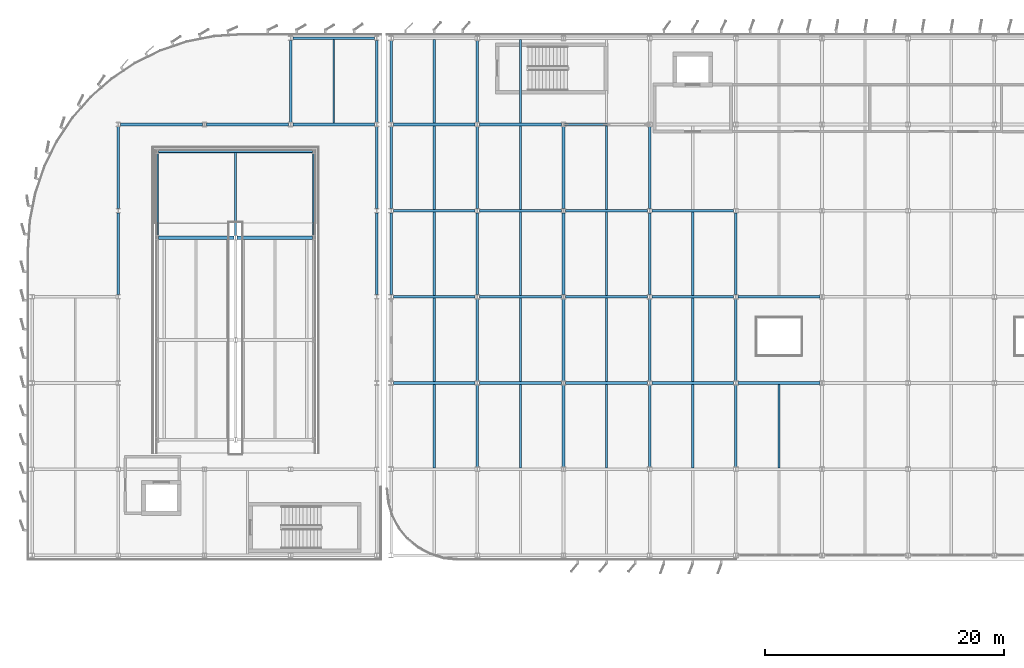
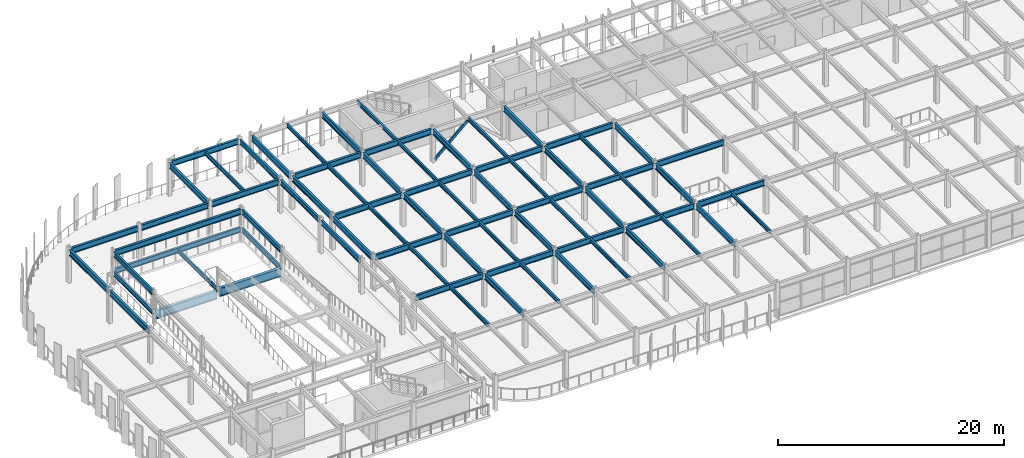
# One storey, part 16 of 52: 73 beams, 1 member.
"""IFC4 building model written with IfcOpenShell, lengths in metres."""

from ifc_helpers import new_model, si_unit, direction, frame, origin, origin_2d, place, context, subcontext, project, spatial, hollow_rectangle, i_section, extrude, material, material_profile, profile_set, type_object, element, save


model = new_model("IFC4")

# Units and contexts
model_context = context("Model", 3, precision=1e-05, world=origin(), true_north=direction((0.0, 1.0)))
body_context = subcontext(model_context, "Body", "Model", "MODEL_VIEW")
ifc_project = project(units=[si_unit("LENGTHUNIT", "METRE"), si_unit("AREAUNIT", "SQUARE_METRE"), si_unit("VOLUMEUNIT", "CUBIC_METRE"), si_unit("PLANEANGLEUNIT", "RADIAN"), si_unit("MASSUNIT", "GRAM", prefix="KILO")], contexts=[model_context])

# Site, building, storey
site_placement = place(None, origin())
site = spatial("IfcSite", under=ifc_project, at=site_placement, CompositionType="ELEMENT")
building_placement = place(site_placement, origin())
building = spatial("IfcBuilding", under=site, at=building_placement, Name="Vaelcorin Mobility Hub", CompositionType="ELEMENT")
storey_placement = place(building_placement, frame((0.0, 0.0, 13.199951171875)))
storey = spatial("IfcBuildingStorey", under=building, at=storey_placement, Name="L03", CompositionType="ELEMENT", Elevation=13.199951171875)

# Beams
ifc_material_1 = material(Name="Steel ASTM A992 Grade 50", Category="steel")
ifc_material_profile_1 = material_profile(ifc_material_1, i_section(OverallWidth=0.177978515625, OverallDepth=0.404052734375, WebThickness=0.007568359375, FlangeThickness=0.010986328125, FilletRadius=0.012939453125, at=origin_2d()), Name="W16X36")
ifc_profile_set_1 = profile_set([ifc_material_profile_1], Name="Steel ASTM A992 Grade 50")
beam_type_1 = type_object("IfcBeamType", Name="BM-W16X36", PredefinedType="JOIST", material=ifc_profile_set_1)
beam_1_placement = place(storey_placement, frame((39.60009765625, 84.112060546875, 3.4580078125), z_axis=(0.0, 1.0, 0.0), x_axis=(-1.0, 0.0, 0.0)))
element("IfcBeam", 1, at=beam_1_placement, inside=storey, type_object=beam_type_1, Name="L03 Beam V4-L03-J-01-01-1", PredefinedType="JOIST", context=body_context, shape_type="SweptSolid", body=[
    extrude(i_section(OverallWidth=0.177978515625, OverallDepth=0.404052734375, WebThickness=0.007568359375, FlangeThickness=0.010986328125, FilletRadius=0.012939453125, at=origin_2d()), origin(), (0.0, 0.0, 1.0), 6.975830078125),
])
for number, where, z_axis, x_axis, name in (
    (2, (39.60009765625, 91.31201171875, 3.4580078125), (0.0, 1.0, 0.0), (-1.0, 0.0, 0.0), "L03 Beam V4-L03-J-01-02-1"),
    (3, (39.60009765625, 98.511962890625, 3.4580078125), (0.0, 1.0, 0.0), (-1.0, 0.0, 0.0), "L03 Beam V4-L03-J-01-03-1"),
    (4, (39.60009765625, 105.7119140625, 3.4580078125), (0.0, 1.0, 0.0), (-1.0, 0.0, 0.0), "L03 Beam V4-L03-J-01-04-1"),
):
    element("IfcBeam", number, at=place(storey_placement, frame(where, z_axis=z_axis, x_axis=x_axis)), inside=storey, type_object=beam_type_1, Name=name, PredefinedType="JOIST", context=body_context, shape_type="SweptSolid", body=[
        extrude(i_section(OverallWidth=0.177978515625, OverallDepth=0.404052734375, WebThickness=0.007568359375, FlangeThickness=0.010986328125, FilletRadius=0.012939453125, at=origin_2d()), origin(), (0.0, 0.0, 1.0), 6.97607421875),
    ])
for number, where, z_axis, x_axis, name in (
    (5, (39.60009765625, 112.912109375, 3.4580078125), (0.0, 1.0, 0.0), (-1.0, 0.0, 0.0), "L03 Beam V4-L03-J-01-05-1"),
    (6, (46.800048828125, 84.112060546875, 3.4580078125), (0.0, 1.0, 0.0), (-1.0, 0.0, 0.0), "L03 Beam V4-L03-J-02-01-1"),
):
    element("IfcBeam", number, at=place(storey_placement, frame(where, z_axis=z_axis, x_axis=x_axis)), inside=storey, type_object=beam_type_1, Name=name, PredefinedType="JOIST", context=body_context, shape_type="SweptSolid", body=[
        extrude(i_section(OverallWidth=0.177978515625, OverallDepth=0.404052734375, WebThickness=0.007568359375, FlangeThickness=0.010986328125, FilletRadius=0.012939453125, at=origin_2d()), origin(), (0.0, 0.0, 1.0), 6.975830078125),
    ])
for number, where, z_axis, x_axis, name in (
    (7, (46.800048828125, 91.31201171875, 3.4580078125), (0.0, 1.0, 0.0), (-1.0, 0.0, 0.0), "L03 Beam V4-L03-J-02-02-1"),
    (8, (46.800048828125, 98.511962890625, 3.4580078125), (0.0, 1.0, 0.0), (-1.0, 0.0, 0.0), "L03 Beam V4-L03-J-02-03-1"),
    (9, (46.800048828125, 105.7119140625, 3.4580078125), (0.0, 1.0, 0.0), (-1.0, 0.0, 0.0), "L03 Beam V4-L03-J-02-04-1"),
):
    element("IfcBeam", number, at=place(storey_placement, frame(where, z_axis=z_axis, x_axis=x_axis)), inside=storey, type_object=beam_type_1, Name=name, PredefinedType="JOIST", context=body_context, shape_type="SweptSolid", body=[
        extrude(i_section(OverallWidth=0.177978515625, OverallDepth=0.404052734375, WebThickness=0.007568359375, FlangeThickness=0.010986328125, FilletRadius=0.012939453125, at=origin_2d()), origin(), (0.0, 0.0, 1.0), 6.97607421875),
    ])
for number, where, z_axis, x_axis, name in (
    (10, (46.800048828125, 112.912109375, 3.4580078125), (0.0, 1.0, 0.0), (-1.0, 0.0, 0.0), "L03 Beam V4-L03-J-02-05-1"),
    (11, (54.0, 84.112060546875, 3.4580078125), (0.0, 1.0, 0.0), (-1.0, 0.0, 0.0), "L03 Beam V4-L03-J-03-01-1"),
):
    element("IfcBeam", number, at=place(storey_placement, frame(where, z_axis=z_axis, x_axis=x_axis)), inside=storey, type_object=beam_type_1, Name=name, PredefinedType="JOIST", context=body_context, shape_type="SweptSolid", body=[
        extrude(i_section(OverallWidth=0.177978515625, OverallDepth=0.404052734375, WebThickness=0.007568359375, FlangeThickness=0.010986328125, FilletRadius=0.012939453125, at=origin_2d()), origin(), (0.0, 0.0, 1.0), 6.975830078125),
    ])
for number, where, z_axis, x_axis, name in (
    (12, (54.0, 91.31201171875, 3.4580078125), (0.0, 1.0, 0.0), (-1.0, 0.0, 0.0), "L03 Beam V4-L03-J-03-02-1"),
    (13, (54.0, 98.511962890625, 3.4580078125), (0.0, 1.0, 0.0), (-1.0, 0.0, 0.0), "L03 Beam V4-L03-J-03-03-1"),
    (14, (54.0, 105.7119140625, 3.4580078125), (0.0, 1.0, 0.0), (-1.0, 0.0, 0.0), "L03 Beam V4-L03-J-03-04-1"),
):
    element("IfcBeam", number, at=place(storey_placement, frame(where, z_axis=z_axis, x_axis=x_axis)), inside=storey, type_object=beam_type_1, Name=name, PredefinedType="JOIST", context=body_context, shape_type="SweptSolid", body=[
        extrude(i_section(OverallWidth=0.177978515625, OverallDepth=0.404052734375, WebThickness=0.007568359375, FlangeThickness=0.010986328125, FilletRadius=0.012939453125, at=origin_2d()), origin(), (0.0, 0.0, 1.0), 6.97607421875),
    ])
beam_2_placement = place(storey_placement, frame((61.199951171875, 84.112060546875, 3.4580078125), z_axis=(0.0, 1.0, 0.0), x_axis=(-1.0, 0.0, 0.0)))
element("IfcBeam", 15, at=beam_2_placement, inside=storey, type_object=beam_type_1, Name="L03 Beam V4-L03-J-04-01-1", PredefinedType="JOIST", context=body_context, shape_type="SweptSolid", body=[
    extrude(i_section(OverallWidth=0.177978515625, OverallDepth=0.404052734375, WebThickness=0.007568359375, FlangeThickness=0.010986328125, FilletRadius=0.012939453125, at=origin_2d()), origin(), (0.0, 0.0, 1.0), 6.975830078125),
])
for number, where, z_axis, x_axis, name in (
    (16, (61.199951171875, 91.31201171875, 3.4580078125), (0.0, 1.0, 0.0), (-1.0, 0.0, 0.0), "L03 Beam V4-L03-J-04-02-1"),
    (17, (61.199951171875, 98.511962890625, 3.4580078125), (0.0, 1.0, 0.0), (-1.0, 0.0, 0.0), "L03 Beam V4-L03-J-04-03-1"),
):
    element("IfcBeam", number, at=place(storey_placement, frame(where, z_axis=z_axis, x_axis=x_axis)), inside=storey, type_object=beam_type_1, Name=name, PredefinedType="JOIST", context=body_context, shape_type="SweptSolid", body=[
        extrude(i_section(OverallWidth=0.177978515625, OverallDepth=0.404052734375, WebThickness=0.007568359375, FlangeThickness=0.010986328125, FilletRadius=0.012939453125, at=origin_2d()), origin(), (0.0, 0.0, 1.0), 6.97607421875),
    ])
beam_3_placement = place(storey_placement, frame((68.39990234375, 84.112060546875, 3.4580078125), z_axis=(0.0, 1.0, 0.0), x_axis=(-1.0, 0.0, 0.0)))
element("IfcBeam", 18, at=beam_3_placement, inside=storey, type_object=beam_type_1, Name="L03 Beam V4-L03-J-05-01-1", PredefinedType="JOIST", context=body_context, shape_type="SweptSolid", body=[
    extrude(i_section(OverallWidth=0.177978515625, OverallDepth=0.404052734375, WebThickness=0.007568359375, FlangeThickness=0.010986328125, FilletRadius=0.012939453125, at=origin_2d()), origin(), (0.0, 0.0, 1.0), 6.975830078125),
])
ifc_material_profile_2 = material_profile(ifc_material_1, i_section(OverallWidth=0.152099609375, OverallDepth=0.455078125, WebThickness=0.008056640625, FlangeThickness=0.01318359375, FilletRadius=0.012939453125, at=origin_2d()), Name="W18X40")
ifc_profile_set_2 = profile_set([ifc_material_profile_2], Name="Steel ASTM A992 Grade 50")
beam_type_2 = type_object("IfcBeamType", Name="BM-W18X40", PredefinedType="JOIST", material=ifc_profile_set_2)
beam_4_placement = place(storey_placement, frame((31.199951171875, 112.912109375, 3.423095703125), z_axis=(0.0, 1.0, 0.0), x_axis=(-1.0, 0.0, 0.0)))
element("IfcBeam", 19, at=beam_4_placement, inside=storey, type_object=beam_type_2, Name="L03 Beam V2W-L03-J-04-06-1", PredefinedType="JOIST", context=body_context, shape_type="SweptSolid", body=[
    extrude(i_section(OverallWidth=0.152099609375, OverallDepth=0.455078125, WebThickness=0.008056640625, FlangeThickness=0.01318359375, FilletRadius=0.012939453125, at=origin_2d()), origin(), (0.0, 0.0, 1.0), 6.975830078125),
])
beam_5_placement = place(storey_placement, frame((23.0, 103.52490234375, 1.442138671875), z_axis=(0.0, 1.0, 0.0), x_axis=(-1.0, 0.0, 0.0)))
element("IfcBeam", 20, at=beam_5_placement, inside=storey, type_object=beam_type_2, Name="Vehicle Ramp VR-1 L03 Landing Mid Joist", PredefinedType="JOIST", context=body_context, shape_type="SweptSolid", body=[
    extrude(i_section(OverallWidth=0.152099609375, OverallDepth=0.455078125, WebThickness=0.008056640625, FlangeThickness=0.01318359375, FilletRadius=0.012939453125, at=origin_2d()), origin(), (0.0, 0.0, 1.0), 6.922119140625),
])
ifc_material_profile_3 = material_profile(ifc_material_1, i_section(OverallWidth=0.166015625, OverallDepth=0.528076171875, WebThickness=0.009765625, FlangeThickness=0.013671875, FilletRadius=0.013916015625, at=origin_2d()), Name="W21X50")
ifc_profile_set_3 = profile_set([ifc_material_profile_3], Name="Steel ASTM A992 Grade 50")
beam_type_3 = type_object("IfcBeamType", Name="BM-W21X50", PredefinedType="JOIST", material=ifc_profile_set_3)
for number, where, z_axis, x_axis, name in (
    (21, (16.449951171875, 103.52490234375, 1.254150390625), (0.0, 1.0, 0.0), (-1.0, 0.0, 0.0), "Vehicle Ramp VR-1 L03 Landing West Edge Beam"),
    (22, (29.550048828125, 103.52490234375, 1.39697265625), (0.0, 1.0, 0.0), (-1.0, 0.0, 0.0), "Vehicle Ramp VR-1 L03 Landing East Edge Beam"),
):
    element("IfcBeam", number, at=place(storey_placement, frame(where, z_axis=z_axis, x_axis=x_axis)), inside=storey, type_object=beam_type_3, Name=name, PredefinedType="JOIST", context=body_context, shape_type="SweptSolid", body=[
        extrude(i_section(OverallWidth=0.166015625, OverallDepth=0.528076171875, WebThickness=0.009765625, FlangeThickness=0.013671875, FilletRadius=0.013916015625, at=origin_2d()), origin(), (0.0, 0.0, 1.0), 6.85009765625),
    ])
ifc_material_profile_4 = material_profile(ifc_material_1, i_section(OverallWidth=0.2099609375, OverallDepth=0.535888671875, WebThickness=0.010986328125, FlangeThickness=0.017333984375, FilletRadius=0.013916015625, at=origin_2d()), Name="W21X68")
ifc_profile_set_4 = profile_set([ifc_material_profile_4], Name="Steel ASTM A992 Grade 50")
beam_type_4 = type_object("IfcBeamType", Name="BM-W21X68", PredefinedType="SPANDREL", material=ifc_profile_set_4)
for number, where, z_axis, x_axis, name in (
    (23, (34.800048828125, 98.575927734375, 3.382080078125), (0.0, 1.0, 0.0), (-1.0, 0.0, 0.0), "L03 Beam V2W-L03-GY-05-04"),
    (24, (34.800048828125, 105.77587890625, 3.382080078125), (0.0, 1.0, 0.0), (-1.0, 0.0, 0.0), "L03 Beam V2W-L03-GY-05-05"),
):
    element("IfcBeam", number, at=place(storey_placement, frame(where, z_axis=z_axis, x_axis=x_axis)), inside=storey, type_object=beam_type_4, Name=name, PredefinedType="SPANDREL", context=body_context, shape_type="SweptSolid", body=[
        extrude(i_section(OverallWidth=0.2099609375, OverallDepth=0.535888671875, WebThickness=0.010986328125, FlangeThickness=0.017333984375, FilletRadius=0.013916015625, at=origin_2d()), origin(), (0.0, 0.0, 1.0), 6.84814453125),
    ])
beam_6_placement = place(storey_placement, frame((34.800048828125, 112.97607421875, 3.382080078125), z_axis=(0.0, 1.0, 0.0), x_axis=(-1.0, 0.0, 0.0)))
element("IfcBeam", 25, at=beam_6_placement, inside=storey, type_object=beam_type_4, Name="L03 Beam V2W-L03-GY-05-06", PredefinedType="SPANDREL", context=body_context, shape_type="SweptSolid", body=[
    extrude(i_section(OverallWidth=0.2099609375, OverallDepth=0.535888671875, WebThickness=0.010986328125, FlangeThickness=0.017333984375, FilletRadius=0.013916015625, at=origin_2d()), origin(), (0.0, 0.0, 1.0), 6.847900390625),
])
beam_7_placement = place(storey_placement, frame((16.580078125, 110.550048828125, 1.402099609375), z_axis=(1.0, 0.0, 0.0), x_axis=(0.0, 1.0, 0.0)))
element("IfcBeam", 26, at=beam_7_placement, inside=storey, type_object=beam_type_4, Name="Vehicle Ramp VR-1 L03 Landing Back Girder", PredefinedType="SPANDREL", context=body_context, shape_type="SweptSolid", body=[
    extrude(i_section(OverallWidth=0.2099609375, OverallDepth=0.535888671875, WebThickness=0.010986328125, FlangeThickness=0.017333984375, FilletRadius=0.013916015625, at=origin_2d()), origin(), (0.0, 0.0, 1.0), 12.83984375),
])
for number, where, z_axis, x_axis, name in (
    (27, (16.449951171875, 103.52490234375, 3.382080078125), (0.0, 1.0, 0.0), (-1.0, 0.0, 0.0), "V2W Ramp Top Tie W3"),
    (28, (29.550048828125, 103.52490234375, 3.382080078125), (0.0, 1.0, 0.0), (-1.0, 0.0, 0.0), "V2W Ramp Top Tie E3"),
):
    element("IfcBeam", number, at=place(storey_placement, frame(where, z_axis=z_axis, x_axis=x_axis)), inside=storey, type_object=beam_type_4, Name=name, PredefinedType="SPANDREL", context=body_context, shape_type="SweptSolid", body=[
        extrude(i_section(OverallWidth=0.2099609375, OverallDepth=0.535888671875, WebThickness=0.010986328125, FlangeThickness=0.017333984375, FilletRadius=0.013916015625, at=origin_2d()), origin(), (0.0, 0.0, 1.0), 6.85009765625),
    ])
ifc_material_profile_5 = material_profile(ifc_material_1, i_section(OverallWidth=0.22802734375, OverallDepth=0.60205078125, WebThickness=0.010498046875, FlangeThickness=0.014892578125, FilletRadius=0.014892578125, at=origin_2d()), Name="W24X68")
ifc_profile_set_5 = profile_set([ifc_material_profile_5], Name="Steel ASTM A992 Grade 50")
beam_type_5 = type_object("IfcBeamType", Name="BM-W24X68", PredefinedType="SPANDREL", material=ifc_profile_set_5)
beam_8_placement = place(storey_placement, frame((36.0, 98.580078125, 3.359130859375), z_axis=(0.0, 1.0, 0.0), x_axis=(-1.0, 0.0, 0.0)))
element("IfcBeam", 29, at=beam_8_placement, inside=storey, type_object=beam_type_5, Name="L03 Beam V4-L03-GY-01-03", PredefinedType="SPANDREL", context=body_context, shape_type="SweptSolid", body=[
    extrude(i_section(OverallWidth=0.22802734375, OverallDepth=0.60205078125, WebThickness=0.010498046875, FlangeThickness=0.014892578125, FilletRadius=0.014892578125, at=origin_2d()), origin(), (0.0, 0.0, 1.0), 6.83984375),
])
beam_9_placement = place(storey_placement, frame((36.0, 105.780029296875, 3.359130859375), z_axis=(0.0, 1.0, 0.0), x_axis=(-1.0, 0.0, 0.0)))
element("IfcBeam", 30, at=beam_9_placement, inside=storey, type_object=beam_type_5, Name="L03 Beam V4-L03-GY-01-04", PredefinedType="SPANDREL", context=body_context, shape_type="SweptSolid", body=[
    extrude(i_section(OverallWidth=0.22802734375, OverallDepth=0.60205078125, WebThickness=0.010498046875, FlangeThickness=0.014892578125, FilletRadius=0.014892578125, at=origin_2d()), origin(), (0.0, 0.0, 1.0), 6.8359375),
])
beam_10_placement = place(storey_placement, frame((36.0, 112.98388671875, 3.359130859375), z_axis=(0.0, 1.0, 0.0), x_axis=(-1.0, 0.0, 0.0)))
element("IfcBeam", 31, at=beam_10_placement, inside=storey, type_object=beam_type_5, Name="L03 Beam V4-L03-GY-01-05", PredefinedType="SPANDREL", context=body_context, shape_type="SweptSolid", body=[
    extrude(i_section(OverallWidth=0.22802734375, OverallDepth=0.60205078125, WebThickness=0.010498046875, FlangeThickness=0.014892578125, FilletRadius=0.014892578125, at=origin_2d()), origin(), (0.0, 0.0, 1.0), 6.836181640625),
])
beam_11_placement = place(storey_placement, frame((43.199951171875, 84.18408203125, 3.359130859375), z_axis=(0.0, 1.0, 0.0), x_axis=(-1.0, 0.0, 0.0)))
element("IfcBeam", 32, at=beam_11_placement, inside=storey, type_object=beam_type_5, Name="L03 Beam V4-L03-GY-02-01", PredefinedType="SPANDREL", context=body_context, shape_type="SweptSolid", body=[
    extrude(i_section(OverallWidth=0.22802734375, OverallDepth=0.60205078125, WebThickness=0.010498046875, FlangeThickness=0.014892578125, FilletRadius=0.014892578125, at=origin_2d()), origin(), (0.0, 0.0, 1.0), 6.8359375),
])
beam_12_placement = place(storey_placement, frame((43.199951171875, 91.3798828125, 3.359130859375), z_axis=(0.0, 1.0, 0.0), x_axis=(-1.0, 0.0, 0.0)))
element("IfcBeam", 33, at=beam_12_placement, inside=storey, type_object=beam_type_5, Name="L03 Beam V4-L03-GY-02-02", PredefinedType="SPANDREL", context=body_context, shape_type="SweptSolid", body=[
    extrude(i_section(OverallWidth=0.22802734375, OverallDepth=0.60205078125, WebThickness=0.010498046875, FlangeThickness=0.014892578125, FilletRadius=0.014892578125, at=origin_2d()), origin(), (0.0, 0.0, 1.0), 6.840087890625),
])
beam_13_placement = place(storey_placement, frame((43.199951171875, 98.580078125, 3.359130859375), z_axis=(0.0, 1.0, 0.0), x_axis=(-1.0, 0.0, 0.0)))
element("IfcBeam", 34, at=beam_13_placement, inside=storey, type_object=beam_type_5, Name="L03 Beam V4-L03-GY-02-03", PredefinedType="SPANDREL", context=body_context, shape_type="SweptSolid", body=[
    extrude(i_section(OverallWidth=0.22802734375, OverallDepth=0.60205078125, WebThickness=0.010498046875, FlangeThickness=0.014892578125, FilletRadius=0.014892578125, at=origin_2d()), origin(), (0.0, 0.0, 1.0), 6.83984375),
])
beam_14_placement = place(storey_placement, frame((43.199951171875, 105.780029296875, 3.359130859375), z_axis=(0.0, 1.0, 0.0), x_axis=(-1.0, 0.0, 0.0)))
element("IfcBeam", 35, at=beam_14_placement, inside=storey, type_object=beam_type_5, Name="L03 Beam V4-L03-GY-02-04", PredefinedType="SPANDREL", context=body_context, shape_type="SweptSolid", body=[
    extrude(i_section(OverallWidth=0.22802734375, OverallDepth=0.60205078125, WebThickness=0.010498046875, FlangeThickness=0.014892578125, FilletRadius=0.014892578125, at=origin_2d()), origin(), (0.0, 0.0, 1.0), 6.8359375),
])
beam_15_placement = place(storey_placement, frame((43.199951171875, 112.98388671875, 3.359130859375), z_axis=(0.0, 1.0, 0.0), x_axis=(-1.0, 0.0, 0.0)))
element("IfcBeam", 36, at=beam_15_placement, inside=storey, type_object=beam_type_5, Name="L03 Beam V4-L03-GY-02-05", PredefinedType="SPANDREL", context=body_context, shape_type="SweptSolid", body=[
    extrude(i_section(OverallWidth=0.22802734375, OverallDepth=0.60205078125, WebThickness=0.010498046875, FlangeThickness=0.014892578125, FilletRadius=0.014892578125, at=origin_2d()), origin(), (0.0, 0.0, 1.0), 6.836181640625),
])
beam_16_placement = place(storey_placement, frame((50.39990234375, 84.18408203125, 3.359130859375), z_axis=(0.0, 1.0, 0.0), x_axis=(-1.0, 0.0, 0.0)))
element("IfcBeam", 37, at=beam_16_placement, inside=storey, type_object=beam_type_5, Name="L03 Beam V4-L03-GY-03-01", PredefinedType="SPANDREL", context=body_context, shape_type="SweptSolid", body=[
    extrude(i_section(OverallWidth=0.22802734375, OverallDepth=0.60205078125, WebThickness=0.010498046875, FlangeThickness=0.014892578125, FilletRadius=0.014892578125, at=origin_2d()), origin(), (0.0, 0.0, 1.0), 6.8359375),
])
beam_17_placement = place(storey_placement, frame((50.39990234375, 91.3798828125, 3.359130859375), z_axis=(0.0, 1.0, 0.0), x_axis=(-1.0, 0.0, 0.0)))
element("IfcBeam", 38, at=beam_17_placement, inside=storey, type_object=beam_type_5, Name="L03 Beam V4-L03-GY-03-02", PredefinedType="SPANDREL", context=body_context, shape_type="SweptSolid", body=[
    extrude(i_section(OverallWidth=0.22802734375, OverallDepth=0.60205078125, WebThickness=0.010498046875, FlangeThickness=0.014892578125, FilletRadius=0.014892578125, at=origin_2d()), origin(), (0.0, 0.0, 1.0), 6.840087890625),
])
beam_18_placement = place(storey_placement, frame((50.39990234375, 98.580078125, 3.359130859375), z_axis=(0.0, 1.0, 0.0), x_axis=(-1.0, 0.0, 0.0)))
element("IfcBeam", 39, at=beam_18_placement, inside=storey, type_object=beam_type_5, Name="L03 Beam V4-L03-GY-03-03", PredefinedType="SPANDREL", context=body_context, shape_type="SweptSolid", body=[
    extrude(i_section(OverallWidth=0.22802734375, OverallDepth=0.60205078125, WebThickness=0.010498046875, FlangeThickness=0.014892578125, FilletRadius=0.014892578125, at=origin_2d()), origin(), (0.0, 0.0, 1.0), 6.83984375),
])
for number, where, z_axis, x_axis, name in (
    (40, (50.39990234375, 105.780029296875, 3.359130859375), (0.0, 1.0, 0.0), (-1.0, 0.0, 0.0), "L03 Beam V4-L03-GY-03-04"),
    (41, (57.60009765625, 84.18408203125, 3.359130859375), (0.0, 1.0, 0.0), (-1.0, 0.0, 0.0), "L03 Beam V4-L03-GY-04-01"),
):
    element("IfcBeam", number, at=place(storey_placement, frame(where, z_axis=z_axis, x_axis=x_axis)), inside=storey, type_object=beam_type_5, Name=name, PredefinedType="SPANDREL", context=body_context, shape_type="SweptSolid", body=[
        extrude(i_section(OverallWidth=0.22802734375, OverallDepth=0.60205078125, WebThickness=0.010498046875, FlangeThickness=0.014892578125, FilletRadius=0.014892578125, at=origin_2d()), origin(), (0.0, 0.0, 1.0), 6.8359375),
    ])
beam_19_placement = place(storey_placement, frame((57.60009765625, 91.3798828125, 3.359130859375), z_axis=(0.0, 1.0, 0.0), x_axis=(-1.0, 0.0, 0.0)))
element("IfcBeam", 42, at=beam_19_placement, inside=storey, type_object=beam_type_5, Name="L03 Beam V4-L03-GY-04-02", PredefinedType="SPANDREL", context=body_context, shape_type="SweptSolid", body=[
    extrude(i_section(OverallWidth=0.22802734375, OverallDepth=0.60205078125, WebThickness=0.010498046875, FlangeThickness=0.014892578125, FilletRadius=0.014892578125, at=origin_2d()), origin(), (0.0, 0.0, 1.0), 6.840087890625),
])
beam_20_placement = place(storey_placement, frame((57.60009765625, 98.580078125, 3.359130859375), z_axis=(0.0, 1.0, 0.0), x_axis=(-1.0, 0.0, 0.0)))
element("IfcBeam", 43, at=beam_20_placement, inside=storey, type_object=beam_type_5, Name="L03 Beam V4-L03-GY-04-03", PredefinedType="SPANDREL", context=body_context, shape_type="SweptSolid", body=[
    extrude(i_section(OverallWidth=0.22802734375, OverallDepth=0.60205078125, WebThickness=0.010498046875, FlangeThickness=0.014892578125, FilletRadius=0.014892578125, at=origin_2d()), origin(), (0.0, 0.0, 1.0), 6.83984375),
])
for number, where, z_axis, x_axis, name in (
    (44, (57.60009765625, 105.780029296875, 3.359130859375), (0.0, 1.0, 0.0), (-1.0, 0.0, 0.0), "L03 Beam V4-L03-GY-04-04"),
    (45, (64.800048828125, 84.18408203125, 3.359130859375), (0.0, 1.0, 0.0), (-1.0, 0.0, 0.0), "L03 Beam V4-L03-GY-05-01"),
):
    element("IfcBeam", number, at=place(storey_placement, frame(where, z_axis=z_axis, x_axis=x_axis)), inside=storey, type_object=beam_type_5, Name=name, PredefinedType="SPANDREL", context=body_context, shape_type="SweptSolid", body=[
        extrude(i_section(OverallWidth=0.22802734375, OverallDepth=0.60205078125, WebThickness=0.010498046875, FlangeThickness=0.014892578125, FilletRadius=0.014892578125, at=origin_2d()), origin(), (0.0, 0.0, 1.0), 6.8359375),
    ])
beam_21_placement = place(storey_placement, frame((64.800048828125, 91.3798828125, 3.359130859375), z_axis=(0.0, 1.0, 0.0), x_axis=(-1.0, 0.0, 0.0)))
element("IfcBeam", 46, at=beam_21_placement, inside=storey, type_object=beam_type_5, Name="L03 Beam V4-L03-GY-05-02", PredefinedType="SPANDREL", context=body_context, shape_type="SweptSolid", body=[
    extrude(i_section(OverallWidth=0.22802734375, OverallDepth=0.60205078125, WebThickness=0.010498046875, FlangeThickness=0.014892578125, FilletRadius=0.014892578125, at=origin_2d()), origin(), (0.0, 0.0, 1.0), 6.840087890625),
])
beam_22_placement = place(storey_placement, frame((64.800048828125, 98.580078125, 3.359130859375), z_axis=(0.0, 1.0, 0.0), x_axis=(-1.0, 0.0, 0.0)))
element("IfcBeam", 47, at=beam_22_placement, inside=storey, type_object=beam_type_5, Name="L03 Beam V4-L03-GY-05-03", PredefinedType="SPANDREL", context=body_context, shape_type="SweptSolid", body=[
    extrude(i_section(OverallWidth=0.22802734375, OverallDepth=0.60205078125, WebThickness=0.010498046875, FlangeThickness=0.014892578125, FilletRadius=0.014892578125, at=origin_2d()), origin(), (0.0, 0.0, 1.0), 6.83984375),
])
beam_23_placement = place(storey_placement, frame((27.781982421875, 120.0, 3.34912109375), z_axis=(1.0, 0.0, 0.0), x_axis=(0.0, 1.0, 0.0)))
element("IfcBeam", 48, at=beam_23_placement, inside=storey, type_object=beam_type_5, Name="L03 Beam V2W-L03-GX-07-04", PredefinedType="SPANDREL", context=body_context, shape_type="SweptSolid", body=[
    extrude(i_section(OverallWidth=0.22802734375, OverallDepth=0.60205078125, WebThickness=0.010498046875, FlangeThickness=0.014892578125, FilletRadius=0.014892578125, at=origin_2d()), origin(), (0.0, 0.0, 1.0), 6.8359375),
])
ifc_material_profile_6 = material_profile(ifc_material_1, i_section(OverallWidth=0.22900390625, OverallDepth=0.612060546875, WebThickness=0.011962890625, FlangeThickness=0.01953125, FilletRadius=0.014892578125, at=origin_2d()), Name="W24X84")
ifc_profile_set_6 = profile_set([ifc_material_profile_6], Name="Steel ASTM A992 Grade 50")
beam_type_6 = type_object("IfcBeamType", Name="BM-W24X84", PredefinedType="BEAM", material=ifc_profile_set_6)
for number, where, z_axis, x_axis, name in (
    (49, (36.18408203125, 91.199951171875, 3.35400390625), (1.0, 0.0, 0.0), (0.0, 1.0, 0.0), "L03 Beam V4-L03-GX-02-01"),
    (50, (43.384033203125, 91.199951171875, 3.35400390625), (1.0, 0.0, 0.0), (0.0, 1.0, 0.0), "L03 Beam V4-L03-GX-02-02"),
    (51, (50.583984375, 91.199951171875, 3.35400390625), (1.0, 0.0, 0.0), (0.0, 1.0, 0.0), "L03 Beam V4-L03-GX-02-03"),
    (52, (57.783935546875, 91.199951171875, 3.35400390625), (1.0, 0.0, 0.0), (0.0, 1.0, 0.0), "L03 Beam V4-L03-GX-02-04"),
):
    element("IfcBeam", number, at=place(storey_placement, frame(where, z_axis=z_axis, x_axis=x_axis)), inside=storey, type_object=beam_type_6, Name=name, PredefinedType="BEAM", context=body_context, shape_type="SweptSolid", body=[
        extrude(i_section(OverallWidth=0.22900390625, OverallDepth=0.612060546875, WebThickness=0.011962890625, FlangeThickness=0.01953125, FilletRadius=0.014892578125, at=origin_2d()), origin(), (0.0, 0.0, 1.0), 6.83203125),
    ])
beam_24_placement = place(storey_placement, frame((64.98291015625, 91.199951171875, 3.35400390625), z_axis=(1.0, 0.0, 0.0), x_axis=(0.0, 1.0, 0.0)))
element("IfcBeam", 53, at=beam_24_placement, inside=storey, type_object=beam_type_6, Name="L03 Beam V4-L03-GX-02-05", PredefinedType="BEAM", context=body_context, shape_type="SweptSolid", body=[
    extrude(i_section(OverallWidth=0.22900390625, OverallDepth=0.612060546875, WebThickness=0.011962890625, FlangeThickness=0.01953125, FilletRadius=0.014892578125, at=origin_2d()), origin(), (0.0, 0.0, 1.0), 6.8330078125),
])
for number, where, z_axis, x_axis, name in (
    (54, (36.18408203125, 98.39990234375, 3.35400390625), (1.0, 0.0, 0.0), (0.0, 1.0, 0.0), "L03 Beam V4-L03-GX-03-01"),
    (55, (43.384033203125, 98.39990234375, 3.35400390625), (1.0, 0.0, 0.0), (0.0, 1.0, 0.0), "L03 Beam V4-L03-GX-03-02"),
    (56, (50.583984375, 98.39990234375, 3.35400390625), (1.0, 0.0, 0.0), (0.0, 1.0, 0.0), "L03 Beam V4-L03-GX-03-03"),
    (57, (57.783935546875, 98.39990234375, 3.35400390625), (1.0, 0.0, 0.0), (0.0, 1.0, 0.0), "L03 Beam V4-L03-GX-03-04"),
):
    element("IfcBeam", number, at=place(storey_placement, frame(where, z_axis=z_axis, x_axis=x_axis)), inside=storey, type_object=beam_type_6, Name=name, PredefinedType="BEAM", context=body_context, shape_type="SweptSolid", body=[
        extrude(i_section(OverallWidth=0.22900390625, OverallDepth=0.612060546875, WebThickness=0.011962890625, FlangeThickness=0.01953125, FilletRadius=0.014892578125, at=origin_2d()), origin(), (0.0, 0.0, 1.0), 6.83203125),
    ])
beam_25_placement = place(storey_placement, frame((64.98291015625, 98.39990234375, 3.35400390625), z_axis=(1.0, 0.0, 0.0), x_axis=(0.0, 1.0, 0.0)))
element("IfcBeam", 58, at=beam_25_placement, inside=storey, type_object=beam_type_6, Name="L03 Beam V4-L03-GX-03-05", PredefinedType="BEAM", context=body_context, shape_type="SweptSolid", body=[
    extrude(i_section(OverallWidth=0.22900390625, OverallDepth=0.612060546875, WebThickness=0.011962890625, FlangeThickness=0.01953125, FilletRadius=0.014892578125, at=origin_2d()), origin(), (0.0, 0.0, 1.0), 6.8330078125),
])
for number, where, z_axis, x_axis, name in (
    (59, (36.18408203125, 105.60009765625, 3.35400390625), (1.0, 0.0, 0.0), (0.0, 1.0, 0.0), "L03 Beam V4-L03-GX-04-01"),
    (60, (43.384033203125, 105.60009765625, 3.35400390625), (1.0, 0.0, 0.0), (0.0, 1.0, 0.0), "L03 Beam V4-L03-GX-04-02"),
    (61, (50.583984375, 105.60009765625, 3.35400390625), (1.0, 0.0, 0.0), (0.0, 1.0, 0.0), "L03 Beam V4-L03-GX-04-03"),
    (62, (57.783935546875, 105.60009765625, 3.35400390625), (1.0, 0.0, 0.0), (0.0, 1.0, 0.0), "L03 Beam V4-L03-GX-04-04"),
    (63, (36.18408203125, 112.800048828125, 3.35400390625), (1.0, 0.0, 0.0), (0.0, 1.0, 0.0), "L03 Beam V4-L03-GX-05-01"),
    (64, (43.384033203125, 112.800048828125, 3.35400390625), (1.0, 0.0, 0.0), (0.0, 1.0, 0.0), "L03 Beam V4-L03-GX-05-02"),
):
    element("IfcBeam", number, at=place(storey_placement, frame(where, z_axis=z_axis, x_axis=x_axis)), inside=storey, type_object=beam_type_6, Name=name, PredefinedType="BEAM", context=body_context, shape_type="SweptSolid", body=[
        extrude(i_section(OverallWidth=0.22900390625, OverallDepth=0.612060546875, WebThickness=0.011962890625, FlangeThickness=0.01953125, FilletRadius=0.014892578125, at=origin_2d()), origin(), (0.0, 0.0, 1.0), 6.83203125),
    ])
for number, where, z_axis, x_axis, name in (
    (65, (13.382080078125, 112.800048828125, 3.343994140625), (1.0, 0.0, 0.0), (0.0, 1.0, 0.0), "L03 Beam V2W-L03-GX-06-02"),
    (66, (20.58203125, 112.800048828125, 3.343994140625), (1.0, 0.0, 0.0), (0.0, 1.0, 0.0), "L03 Beam V2W-L03-GX-06-03"),
    (67, (27.781982421875, 112.800048828125, 3.343994140625), (1.0, 0.0, 0.0), (0.0, 1.0, 0.0), "L03 Beam V2W-L03-GX-06-04"),
):
    element("IfcBeam", number, at=place(storey_placement, frame(where, z_axis=z_axis, x_axis=x_axis)), inside=storey, type_object=beam_type_6, Name=name, PredefinedType="BEAM", context=body_context, shape_type="SweptSolid", body=[
        extrude(i_section(OverallWidth=0.22900390625, OverallDepth=0.612060546875, WebThickness=0.011962890625, FlangeThickness=0.01953125, FilletRadius=0.014892578125, at=origin_2d()), origin(), (0.0, 0.0, 1.0), 6.8359375),
    ])
for number, where, z_axis, x_axis, name in (
    (68, (13.199951171875, 98.575927734375, 3.343994140625), (0.0, 1.0, 0.0), (-1.0, 0.0, 0.0), "L03 Beam V2W-L03-GY-02-04"),
    (69, (13.199951171875, 105.77587890625, 3.343994140625), (0.0, 1.0, 0.0), (-1.0, 0.0, 0.0), "L03 Beam V2W-L03-GY-02-05"),
):
    element("IfcBeam", number, at=place(storey_placement, frame(where, z_axis=z_axis, x_axis=x_axis)), inside=storey, type_object=beam_type_6, Name=name, PredefinedType="BEAM", context=body_context, shape_type="SweptSolid", body=[
        extrude(i_section(OverallWidth=0.22900390625, OverallDepth=0.612060546875, WebThickness=0.011962890625, FlangeThickness=0.01953125, FilletRadius=0.014892578125, at=origin_2d()), origin(), (0.0, 0.0, 1.0), 6.84814453125),
    ])
beam_26_placement = place(storey_placement, frame((27.60009765625, 112.97607421875, 3.343994140625), z_axis=(0.0, 1.0, 0.0), x_axis=(-1.0, 0.0, 0.0)))
element("IfcBeam", 70, at=beam_26_placement, inside=storey, type_object=beam_type_6, Name="L03 Beam V2W-L03-GY-04-06", PredefinedType="BEAM", context=body_context, shape_type="SweptSolid", body=[
    extrude(i_section(OverallWidth=0.22900390625, OverallDepth=0.612060546875, WebThickness=0.011962890625, FlangeThickness=0.01953125, FilletRadius=0.014892578125, at=origin_2d()), origin(), (0.0, 0.0, 1.0), 6.847900390625),
])
beam_27_placement = place(storey_placement, frame((16.580078125, 110.550048828125, 3.343994140625), z_axis=(1.0, 0.0, 0.0), x_axis=(0.0, 1.0, 0.0)))
element("IfcBeam", 71, at=beam_27_placement, inside=storey, type_object=beam_type_6, Name="V2W Ramp Top Tie Girder BN", PredefinedType="BEAM", context=body_context, shape_type="SweptSolid", body=[
    extrude(i_section(OverallWidth=0.22900390625, OverallDepth=0.612060546875, WebThickness=0.011962890625, FlangeThickness=0.01953125, FilletRadius=0.014892578125, at=origin_2d()), origin(), (0.0, 0.0, 1.0), 12.83984375),
])
ifc_material_profile_7 = material_profile(ifc_material_1, i_section(OverallWidth=0.304931640625, OverallDepth=0.9140625, WebThickness=0.0166015625, FlangeThickness=0.02587890625, FilletRadius=0.02001953125, at=origin_2d()), Name="W36X160")
ifc_profile_set_7 = profile_set([ifc_material_profile_7], Name="Steel ASTM A992 Grade 50")
beam_type_7 = type_object("IfcBeamType", Name="BM-W36X160", PredefinedType="BEAM", material=ifc_profile_set_7)
for number, where, z_axis, x_axis, name in (
    (72, (16.580078125, 103.35009765625, 1.06103515625), (1.0, 0.0, 0.0), (0.0, 1.0, 0.0), "Vehicle Ramp VR-1 L03 Landing Girder NW"),
    (73, (23.1298828125, 103.35009765625, 1.2041015625), (1.0, 0.0, 0.0), (0.0, 1.0, 0.0), "Vehicle Ramp VR-1 L03 Landing Girder NE"),
):
    element("IfcBeam", number, at=place(storey_placement, frame(where, z_axis=z_axis, x_axis=x_axis)), inside=storey, type_object=beam_type_7, Name=name, PredefinedType="BEAM", context=body_context, shape_type="SweptSolid", body=[
        extrude(i_section(OverallWidth=0.304931640625, OverallDepth=0.9140625, WebThickness=0.0166015625, FlangeThickness=0.02587890625, FilletRadius=0.02001953125, at=origin_2d()), origin(), (0.0, 0.0, 1.0), 6.2900390625),
    ])

# Member
ifc_material_2 = material(Name="Steel ASTM A500 Grade C", Category="steel")
ifc_material_profile_8 = material_profile(ifc_material_2, hollow_rectangle(XDim=0.15234375, YDim=0.25390625, WallThickness=0.01171875, at=origin_2d()), Name="HSS10X6X0.500")
ifc_profile_set_8 = profile_set([ifc_material_profile_8], Name="Steel ASTM A500 Grade C")
member_type = type_object("IfcMemberType", Name="BR-SCBF-10X6", PredefinedType="BRACE", material=ifc_profile_set_8)
member_placement = place(storey_placement, frame((50.590087890625, 112.800048828125, 0.179931640625), z_axis=(0.743169783144, 0.0, 0.669102887022), x_axis=(0.0, 1.0, 0.0)))
element("IfcMember", 74, at=member_placement, inside=storey, type_object=member_type, Name="SCBF Chevron Brace V4-BX1-L03-A", PredefinedType="BRACE", context=body_context, shape_type="SweptSolid", body=[
    extrude(hollow_rectangle(XDim=0.15234375, YDim=0.25390625, WallThickness=0.01171875, at=origin_2d()), origin(), (0.0, 0.0, 1.0), 4.58837890625),
])

save(model, "model.ifc")
